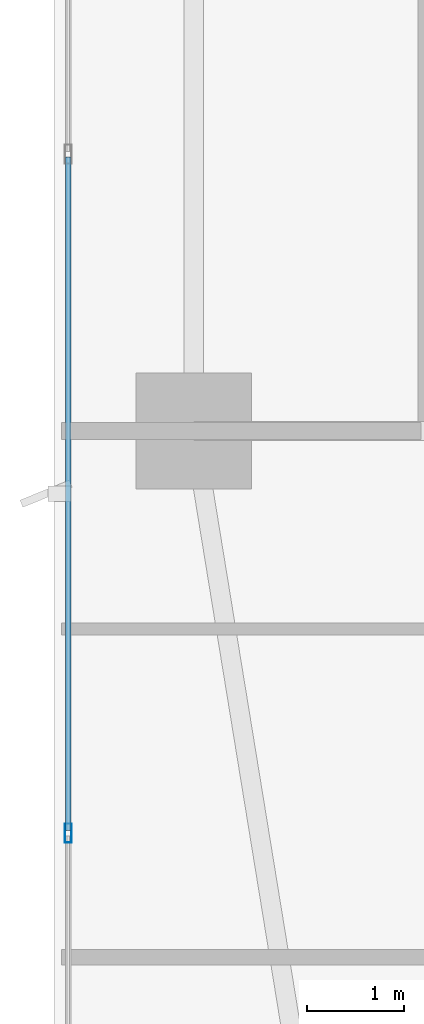
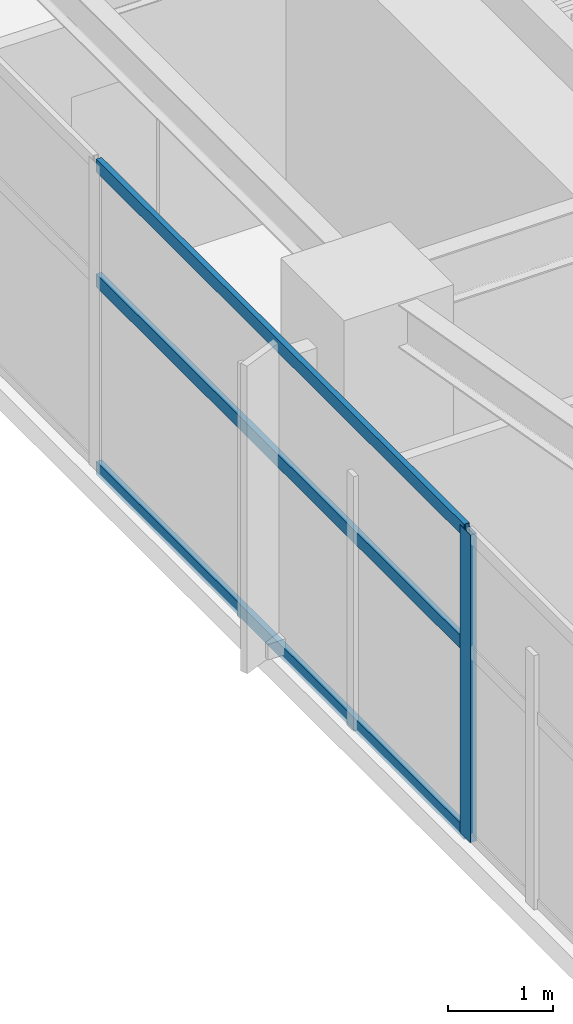
# One storey, part 4 of 29: 4 members, 1 element without a shape of its own.
"""IFC4 building model written with IfcOpenShell, lengths in metres."""

import ifcopenshell
import ifcopenshell.guid

model = None  # the IFC model being written
_history = None  # IfcOwnerHistory: only IFC2X3 demands one
_inside = {}  # id of a spatial element -> (the spatial element, [elements in it])
_under = {}  # id of a project, library or spatial element -> (it, [spatial elements below it])
_declared = {}  # id of a project -> (the project, [libraries it declares])
_typed = {}  # id of a type object -> (the type object, [elements of that type])
_made_of = {}  # id of a material, layer set ... -> (it, [elements and type objects made of it])


def new_model(schema):
    """Start an empty IFC model of exactly this schema.

    Asked for "IFC4X3", IfcOpenShell would pick the latest addendum, in which some entities
    have other attributes; the version numbers below select the first issue.
    IFC2X3 requires an IfcOwnerHistory on every rooted entity: one is made here for all.
    """
    global model, _history
    if schema == "IFC4X3":
        model = ifcopenshell.file(schema_version=(4, 3, 0, 0))
    else:
        model = ifcopenshell.file(schema=schema)
    _inside.clear()
    _under.clear()
    _declared.clear()
    _typed.clear()
    _made_of.clear()
    _history = None
    if model.schema == "IFC2X3":
        org = make("IfcOrganization", Name="unknown")
        user = make(
            "IfcPersonAndOrganization",
            ThePerson=make("IfcPerson", FamilyName="unknown"),
            TheOrganization=org,
        )
        app = make(
            "IfcApplication",
            ApplicationDeveloper=org,
            Version="unknown",
            ApplicationFullName="unknown",
            ApplicationIdentifier="unknown",
        )
        _history = make(
            "IfcOwnerHistory",
            OwningUser=user,
            OwningApplication=app,
            ChangeAction="ADDED",
            CreationDate=0,
        )
    return model


def make(cls, **values):
    """One entity of the class cls with the attributes given. An attribute that is None is left unset."""
    return model.create_entity(
        cls, **{name: value for name, value in values.items() if value is not None}
    )


def rooted(cls, **values):
    """An entity with a GlobalId (a new one), such as an element, a storey or a relation."""
    return make(cls, GlobalId=ifcopenshell.guid.new(), OwnerHistory=_history, **values)


def si_unit(unit_type, name, prefix=None):
    """IfcSIUnit, for example si_unit("LENGTHUNIT", "METRE", prefix="MILLI")."""
    return make("IfcSIUnit", UnitType=unit_type, Prefix=prefix, Name=name)


def assignment(units):
    """IfcUnitAssignment: the units of a project."""
    return None if units is None else make("IfcUnitAssignment", Units=units)


def point(xyz):
    """IfcCartesianPoint."""
    return None if xyz is None else make("IfcCartesianPoint", Coordinates=xyz)


def direction(xyz):
    """IfcDirection."""
    return None if xyz is None else make("IfcDirection", DirectionRatios=xyz)


def frame(location, z_axis=None, x_axis=None):
    """IfcAxis2Placement3D, a coordinate frame: its origin and axes. An axis left out is left unset."""
    return make(
        "IfcAxis2Placement3D",
        Location=point(location),
        Axis=direction(z_axis),
        RefDirection=direction(x_axis),
    )


def frame_2d(location, x_axis=None):
    """IfcAxis2Placement2D, a coordinate frame in the plane: its origin and x axis."""
    return make(
        "IfcAxis2Placement2D", Location=point(location), RefDirection=direction(x_axis)
    )


def origin():
    """The frame at (0, 0, 0) with its axes left unset."""
    return frame((0.0, 0.0, 0.0))


def origin_2d():
    """The frame at (0, 0) in the plane with its x axis left unset."""
    return frame_2d((0.0, 0.0))


def place(relative_to, where):
    """IfcLocalPlacement: puts the frame where relative to a parent placement (None: the world)."""
    return make(
        "IfcLocalPlacement", PlacementRelTo=relative_to, RelativePlacement=where
    )


def context(
    kind, dimensions, precision=None, world=None, true_north=None, identifier=None
):
    """IfcGeometricRepresentationContext, for example the 3D "Model" context."""
    return make(
        "IfcGeometricRepresentationContext",
        ContextIdentifier=identifier,
        ContextType=kind,
        CoordinateSpaceDimension=dimensions,
        Precision=precision,
        WorldCoordinateSystem=world,
        TrueNorth=true_north,
    )


def subcontext(parent, identifier, kind, view, scale=None):
    """IfcGeometricRepresentationSubContext, for example "Body" below "Model"."""
    return make(
        "IfcGeometricRepresentationSubContext",
        ContextIdentifier=identifier,
        ContextType=kind,
        ParentContext=parent,
        TargetScale=scale,
        TargetView=view,
    )


def project(units=None, contexts=None):
    """IfcProject with its units and contexts."""
    return rooted(
        "IfcProject",
        Name="project",
        RepresentationContexts=contexts,
        UnitsInContext=assignment(units),
    )


def spatial(cls, under=None, at=None, **own):
    """A site, building, storey or space (cls), placed at a placement, below another one or the project."""
    s = rooted(cls, ObjectPlacement=at, **own)
    if under is not None:
        _under.setdefault(under.id(), (under, []))[1].append(s)
    return s


def profile(cls, at=None, kind="AREA", **sizes):
    """A parametric profile (cls). Its sizes go by their IFC names, for example OverallWidth=200.0."""
    return make(cls, ProfileType=kind, Position=at, **sizes)


def hollow_rectangle(**sizes):
    """IfcRectangleHollowProfileDef."""
    return profile("IfcRectangleHollowProfileDef", **sizes)


def extrude(swept, where, along, depth):
    """IfcExtrudedAreaSolid: the profile swept, set in the frame where, extruded along a direction by depth."""
    return make(
        "IfcExtrudedAreaSolid",
        SweptArea=swept,
        Position=where,
        ExtrudedDirection=direction(along),
        Depth=depth,
    )


def shape(context_of_items, identifier, shape_type, items):
    """IfcShapeRepresentation: the items that make up one representation, for example the "Body"."""
    return make(
        "IfcShapeRepresentation",
        ContextOfItems=context_of_items,
        RepresentationIdentifier=identifier,
        RepresentationType=shape_type,
        Items=items,
    )


def material(Name=None, Category=None):
    """IfcMaterial."""
    return make("IfcMaterial", Name=Name, Category=Category)


def layer(
    of_material, thickness, ventilated=None, Name=None, Category=None, Priority=None
):
    """IfcMaterialLayer: one layer of a wall or slab, of a material (None: an air gap)."""
    return make(
        "IfcMaterialLayer",
        Material=of_material,
        LayerThickness=thickness,
        IsVentilated=ventilated,
        Name=Name,
        Category=Category,
        Priority=Priority,
    )


def layer_set(layers, Name=None):
    """IfcMaterialLayerSet."""
    return make("IfcMaterialLayerSet", MaterialLayers=layers, LayerSetName=Name)


def material_profile(
    of_material, cross_section, Name=None, Category=None, Priority=None
):
    """IfcMaterialProfile: a cross section and its material."""
    return make(
        "IfcMaterialProfile",
        Name=Name,
        Material=of_material,
        Profile=cross_section,
        Priority=Priority,
        Category=Category,
    )


def profile_set(profiles, Name=None, composite=None):
    """IfcMaterialProfileSet."""
    return make(
        "IfcMaterialProfileSet",
        Name=Name,
        MaterialProfiles=profiles,
        CompositeProfile=composite,
    )


def made_of(thing, what):
    """Note that an element or type object is made of a material, layer set ...; save() writes the relation."""
    if what is not None:
        _made_of.setdefault(what.id(), (what, []))[1].append(thing)
    return thing


def type_object(cls, material=None, **own):
    """A type object (cls), such as IfcWallType, which elements share."""
    return made_of(rooted(cls, **own), material)


def element(
    cls,
    number,
    at=None,
    inside=None,
    cuts=None,
    type_object=None,
    material=None,
    context=None,
    identifier="Body",
    shape_type=None,
    held_by="IfcProductDefinitionShape",
    body=None,
    shapes=None,
    **own,
):
    """One element of the class cls, such as IfcWall. Its Tag is "e" and its number.

    at: its placement. inside: the storey or other place that contains it. cuts: it is an
    opening in that element (IfcRelVoidsElement). A single representation is given by context,
    identifier, shape_type and body (its items); several are given by shapes. held_by: the class
    of the entity that holds the representations. save() writes the other relations.
    """
    e = rooted(cls, Tag="e%d" % number, ObjectPlacement=at, **own)
    if body is not None:
        shapes = [shape(context, identifier, shape_type, body)]
    if shapes is not None:
        e.Representation = make(held_by, Representations=shapes)
    if inside is not None:
        _inside.setdefault(inside.id(), (inside, []))[1].append(e)
    if cuts is not None:
        rooted(
            "IfcRelVoidsElement", RelatingBuildingElement=cuts, RelatedOpeningElement=e
        )
    if type_object is not None:
        _typed.setdefault(type_object.id(), (type_object, []))[1].append(e)
    return made_of(e, material)


def aggregate(whole, parts):
    """IfcRelAggregates: a whole, such as a stair, and the parts it consists of."""
    return rooted("IfcRelAggregates", RelatingObject=whole, RelatedObjects=parts)


def save(model, path):
    """Write the relations noted so far, then the file.

    IfcRelAggregates (storeys below a building ...), IfcRelContainedInSpatialStructure (elements
    in a storey), IfcRelDefinesByType, IfcRelAssociatesMaterial and IfcRelDeclares: one each for
    every whole, place, type object, material and project.
    """
    for whole, parts in _under.values():
        aggregate(whole, parts)
    for where, things in _inside.values():
        rooted(
            "IfcRelContainedInSpatialStructure",
            RelatedElements=things,
            RelatingStructure=where,
        )
    for kind, things in _typed.values():
        rooted("IfcRelDefinesByType", RelatedObjects=things, RelatingType=kind)
    for what, things in _made_of.values():
        rooted("IfcRelAssociatesMaterial", RelatedObjects=things, RelatingMaterial=what)
    for by, libraries in _declared.values():
        rooted("IfcRelDeclares", RelatingContext=by, RelatedDefinitions=libraries)
    model.write(path)


model = new_model("IFC4")

# Units and contexts
model_context = context("Model", 3, precision=1e-05, world=origin(), true_north=direction((0.0, 1.0)))
body_context = subcontext(model_context, "Body", "Model", "MODEL_VIEW")
ifc_project = project(units=[si_unit("LENGTHUNIT", "METRE"), si_unit("AREAUNIT", "SQUARE_METRE"), si_unit("VOLUMEUNIT", "CUBIC_METRE"), si_unit("PLANEANGLEUNIT", "RADIAN"), si_unit("MASSUNIT", "GRAM", prefix="KILO")], contexts=[model_context])

# Site, building, storey
site_placement = place(None, origin())
site = spatial("IfcSite", under=ifc_project, at=site_placement, CompositionType="ELEMENT")
building_placement = place(site_placement, origin())
building = spatial("IfcBuilding", under=site, at=building_placement, Name="Calvorn Quay Hotel", CompositionType="ELEMENT")
storey_placement = place(building_placement, frame((0.0, 0.0, 167.5)))
storey = spatial("IfcBuildingStorey", under=building, at=storey_placement, Name="L41", CompositionType="ELEMENT", Elevation=167.5)

# Curtain wall, members
ifc_material_1 = material(Name="Pale Anodised Aluminium and Low-E Glass", Category="aluminium")
ifc_layer = layer(ifc_material_1, 0.219970703125)
ifc_layer_set = layer_set([ifc_layer], Name="CW-SYS-Z2")
curtain_wall_type = type_object("IfcCurtainWallType", Name="CW-SYS-Z2", PredefinedType="NOTDEFINED", material=ifc_layer_set)
curtain_wall_placement = place(storey_placement, origin())
curtain_wall = element("IfcCurtainWall", 1, at=curtain_wall_placement, inside=storey, type_object=curtain_wall_type, Name="Tower West Curtain Wall (L41)", PredefinedType="NOTDEFINED")
ifc_material_2 = material(Name="Pale Anodised Aluminium 6063-T6", Category="aluminium")
ifc_material_profile_1 = material_profile(ifc_material_2, hollow_rectangle(XDim=0.070068359375, YDim=0.199951171875, WallThickness=0.00390625, at=origin_2d()), Name="ALU-M200x70x4")
ifc_profile_set_1 = profile_set([ifc_material_profile_1], Name="Pale Anodised Aluminium 6063-T6")
member_type_1 = type_object("IfcMemberType", Name="CW-SYS-Z2-MUL", PredefinedType="MULLION", material=ifc_profile_set_1)
member_1_placement = place(storey_placement, frame((0.14990234375, 12.63330078125, 0.0), z_axis=(0.0, 0.0, 1.0), x_axis=(-1.0, 0.0, 0.0)))
member_1 = element("IfcMember", 2, at=member_1_placement, type_object=member_type_1, Name="CW-L41-W mullion 2", PredefinedType="MULLION", context=body_context, shape_type="SweptSolid", body=[
    extrude(hollow_rectangle(XDim=0.070068359375, YDim=0.199951171875, WallThickness=0.00390625, at=origin_2d()), origin(), (0.0, 0.0, 1.0), 3.56005859375),
])
ifc_material_3 = material(Name="Pale Anodised Aluminium 6063-T6", Category="aluminium")
ifc_material_profile_2 = material_profile(ifc_material_3, hollow_rectangle(XDim=0.06005859375, YDim=0.14990234375, WallThickness=0.00341796875, at=origin_2d()), Name="ALU-T150x60x3.5")
ifc_profile_set_2 = profile_set([ifc_material_profile_2], Name="Pale Anodised Aluminium 6063-T6")
member_type_2 = type_object("IfcMemberType", Name="CW-SYS-Z2-TRN", PredefinedType="USERDEFINED", material=ifc_profile_set_2)
member_2_placement = place(storey_placement, frame((0.14990234375, 12.663330078125, 0.030029296875), z_axis=(0.0, 1.0, 0.0), x_axis=(-1.0, 0.0, 0.0)))
member_2 = element("IfcMember", 3, at=member_2_placement, type_object=member_type_2, Name="CW-L41-W transom 2.1", ObjectType="TRANSOM", PredefinedType="USERDEFINED", context=body_context, shape_type="SweptSolid", body=[
    extrude(hollow_rectangle(XDim=0.06005859375, YDim=0.14990234375, WallThickness=0.00341796875, at=origin_2d()), origin(), (0.0, 0.0, 1.0), 6.973388671875),
])
member_3_placement = place(storey_placement, frame((0.14990234375, 12.663330078125, 2.199951171875), z_axis=(0.0, 1.0, 0.0), x_axis=(-1.0, 0.0, 0.0)))
member_3 = element("IfcMember", 4, at=member_3_placement, type_object=member_type_2, Name="CW-L41-W transom 2.2", ObjectType="TRANSOM", PredefinedType="USERDEFINED", context=body_context, shape_type="SweptSolid", body=[
    extrude(hollow_rectangle(XDim=0.06005859375, YDim=0.14990234375, WallThickness=0.00341796875, at=origin_2d()), origin(), (0.0, 0.0, 1.0), 6.973388671875),
])
member_4_placement = place(storey_placement, frame((0.14990234375, 12.663330078125, 3.530029296875), z_axis=(0.0, 1.0, 0.0), x_axis=(-1.0, 0.0, 0.0)))
member_4 = element("IfcMember", 5, at=member_4_placement, type_object=member_type_2, Name="CW-L41-W transom 2.3", ObjectType="TRANSOM", PredefinedType="USERDEFINED", context=body_context, shape_type="SweptSolid", body=[
    extrude(hollow_rectangle(XDim=0.06005859375, YDim=0.14990234375, WallThickness=0.00341796875, at=origin_2d()), origin(), (0.0, 0.0, 1.0), 6.973388671875),
])
aggregate(curtain_wall, [member_1, member_2, member_3, member_4])

save(model, "model.ifc")
